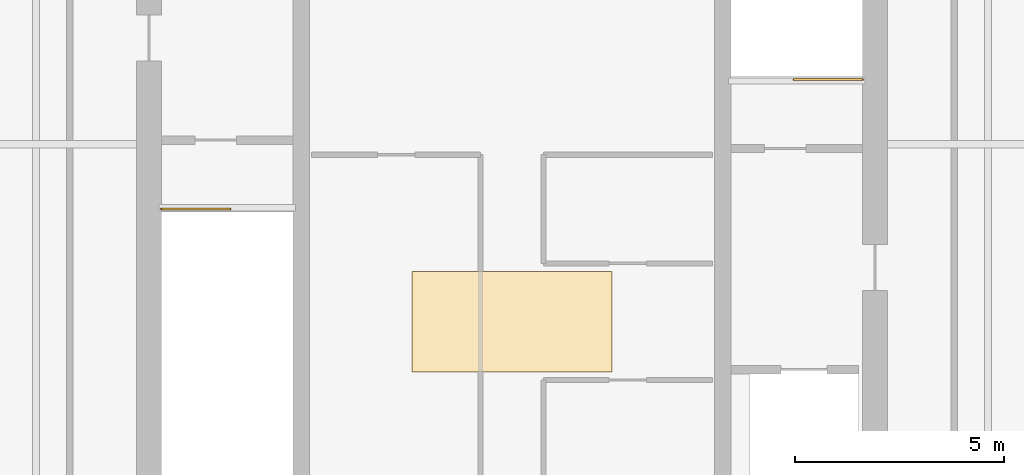
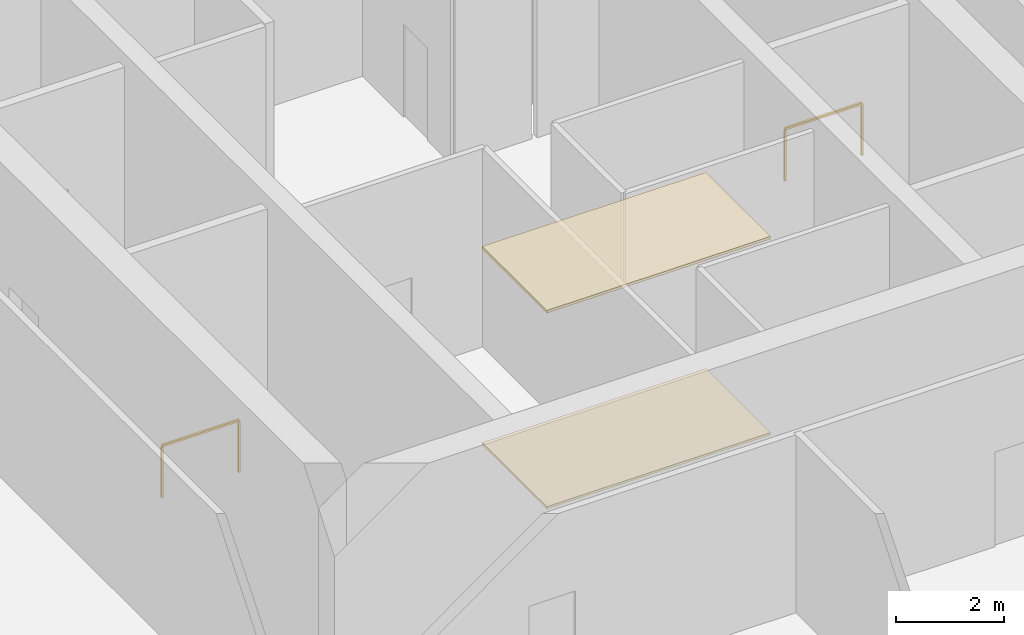
# One storey, part 15 of 15: 2 coverings, 2 railings.
"""IFC4 building model written with IfcOpenShell, lengths in metres."""

from ifc_helpers import new_model, si_unit, direction, frame, origin, origin_2d, place, context, subcontext, project, spatial, polyline, rectangle, outline, extrude, material, layer, layer_set, type_object, element, save


model = new_model("IFC4")

# Units and contexts
model_context = context("Model", 3, precision=1e-05, world=origin(), true_north=direction((0.0, 1.0)))
body_context = subcontext(model_context, "Body", "Model", "MODEL_VIEW")
ifc_project = project(units=[si_unit("LENGTHUNIT", "METRE"), si_unit("AREAUNIT", "SQUARE_METRE"), si_unit("VOLUMEUNIT", "CUBIC_METRE"), si_unit("PLANEANGLEUNIT", "RADIAN"), si_unit("MASSUNIT", "GRAM", prefix="KILO")], contexts=[model_context])

# Site, building, storey
site_placement = place(None, origin())
site = spatial("IfcSite", under=ifc_project, at=site_placement, CompositionType="ELEMENT")
building_placement = place(site_placement, origin())
building = spatial("IfcBuilding", under=site, at=building_placement, Name="Belovzor Exchange Tower", CompositionType="ELEMENT")
storey_placement = place(building_placement, frame((0.0, 0.0, 373.800048828125)))
storey = spatial("IfcBuildingStorey", under=building, at=storey_placement, Name="L93", CompositionType="ELEMENT", Elevation=373.800048828125)

# Railings
ifc_material_1 = material(Name="Steel S355", Category="steel")
railing_type = type_object("IfcRailingType", Name="Painted Steel Stairwell Guardrail 1200", PredefinedType="GUARDRAIL", material=ifc_material_1)
railing_1_placement = place(storey_placement, frame((20.39990234375, 27.25, 0.0)))
element("IfcRailing", 1, at=railing_1_placement, inside=storey, type_object=railing_type, Name="L93 ST-1 top well guard 1", PredefinedType="GUARDRAIL", context=body_context, shape_type="SweptSolid", body=[
    extrude(rectangle(XDim=0.048095703125, YDim=0.048095703125, at=origin_2d()), frame((0.0, 0.0, 1.17578125), z_axis=(1.0, 0.0, 0.0), x_axis=(0.0, 1.0, 0.0)), (0.0, 0.0, 1.0), 1.650146484375),
    extrude(rectangle(XDim=0.0419921875, YDim=0.0419921875, at=origin_2d()), origin(), (0.0, 0.0, 1.0), 1.15185546875),
    extrude(rectangle(XDim=0.0419921875, YDim=0.0419921875, at=origin_2d()), frame((1.650146484375, 0.0, 0.0)), (0.0, 0.0, 1.0), 1.15185546875),
])
railing_2_placement = place(storey_placement, frame((37.199951171875, 30.35009765625, 0.0)))
element("IfcRailing", 2, at=railing_2_placement, inside=storey, type_object=railing_type, Name="L93 ST-2 top well guard 1", PredefinedType="GUARDRAIL", context=body_context, shape_type="SweptSolid", body=[
    extrude(rectangle(XDim=0.048095703125, YDim=0.048095703125, at=origin_2d()), frame((0.0, 0.0, 1.17578125), z_axis=(-1.0, 0.0, 0.0), x_axis=(0.0, -1.0, 0.0)), (0.0, 0.0, 1.0), 1.64990234375),
    extrude(rectangle(XDim=0.0419921875, YDim=0.0419921875, at=origin_2d()), origin(), (0.0, 0.0, 1.0), 1.15185546875),
    extrude(rectangle(XDim=0.0419921875, YDim=0.0419921875, at=origin_2d()), frame((-1.64990234375, 0.0, 0.0)), (0.0, 0.0, 1.0), 1.15185546875),
])

# Coverings
ifc_material_2 = material(Name="Perforated Powder-Coated Aluminium", Category="aluminium")
ifc_layer_1 = layer(ifc_material_2, 0.06005859375)
ifc_layer_set_1 = layer_set([ifc_layer_1], Name="Perforated Powder-Coated Aluminium")
covering_type_1 = type_object("IfcCoveringType", Name="Perforated Acoustic Metal Tile Suspended Ceiling 60", PredefinedType="CEILING", material=ifc_layer_set_1)
covering_1_placement = place(storey_placement, frame((0.0, 0.0, 4.43994140625)))
element("IfcCovering", 3, at=covering_1_placement, inside=storey, type_object=covering_type_1, Name="CLG-AC60 Suspended Ceiling CLG-L93-LOB", PredefinedType="CEILING", context=body_context, shape_type="SweptSolid", body=[
    extrude(outline(polyline([(26.39990234375, 23.35009765625), (31.199951171875, 23.35009765625), (31.199951171875, 25.75), (26.39990234375, 25.75), (26.39990234375, 23.35009765625)])), origin(), (0.0, 0.0, 1.0), 0.06005859375),
])
ifc_material_3 = material(Name="Polished Natural Granite Tile", Category="masonry")
ifc_layer_2 = layer(ifc_material_3, 0.050048828125)
ifc_layer_set_2 = layer_set([ifc_layer_2], Name="Polished Natural Granite Tile")
covering_type_2 = type_object("IfcCoveringType", Name="Polished Karelian Granite & Raised Access Floor Finish 50", PredefinedType="FLOORING", material=ifc_layer_set_2)
covering_2_placement = place(storey_placement, origin())
element("IfcCovering", 4, at=covering_2_placement, inside=storey, type_object=covering_type_2, Name="FLR-GR50 Floor Finish FLR-L93-LOB", PredefinedType="FLOORING", context=body_context, shape_type="SweptSolid", body=[
    extrude(outline(polyline([(26.39990234375, 23.35009765625), (31.199951171875, 23.35009765625), (31.199951171875, 25.75), (26.39990234375, 25.75), (26.39990234375, 23.35009765625)])), origin(), (0.0, 0.0, 1.0), 0.050048828125),
])

save(model, "model.ifc")
